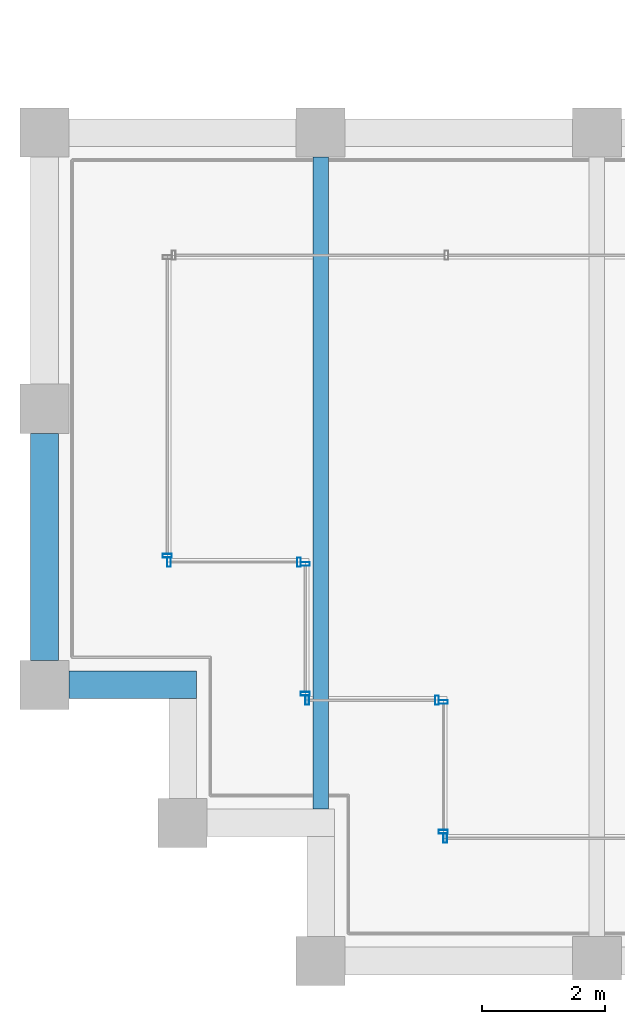
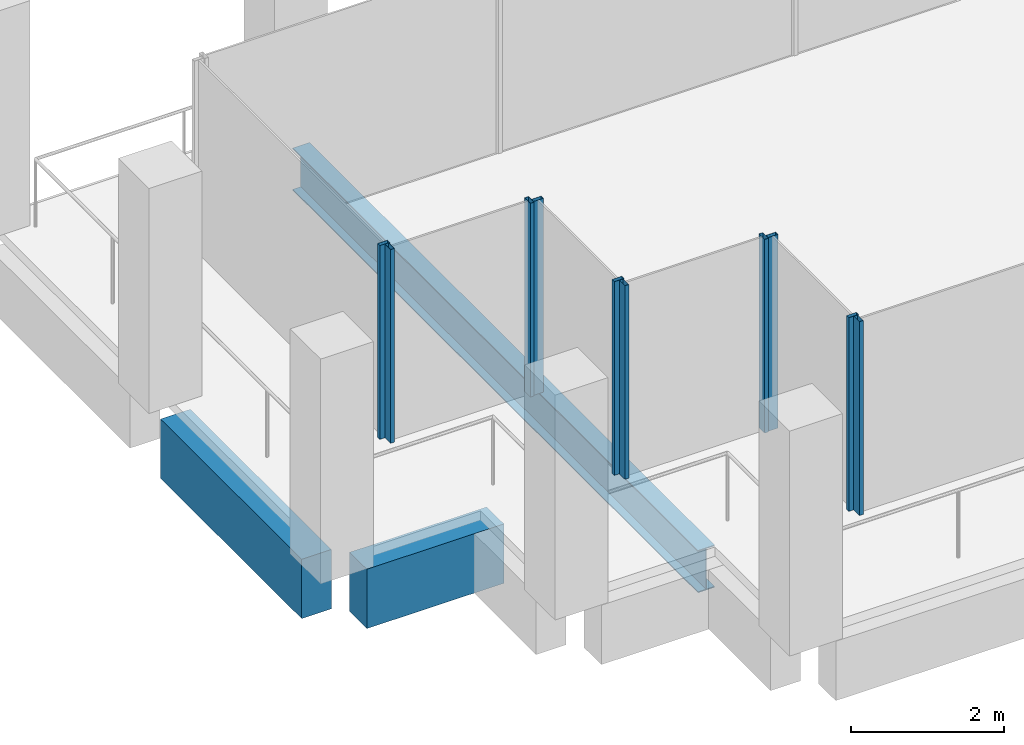
# One storey, part 2 of 30: 10 members, 3 beams, 6 elements without a shape of their own.
"""IFC4 building model written with IfcOpenShell, lengths in metres."""

from ifc_helpers import new_model, si_unit, direction, frame, origin, origin_2d, place, context, subcontext, project, spatial, rectangle, hollow_rectangle, i_section, extrude, material, material_profile, profile_set, type_object, element, aggregate, save


model = new_model("IFC4")

# Units and contexts
model_context = context("Model", 3, precision=1e-05, world=origin(), true_north=direction((0.0, 1.0)))
body_context = subcontext(model_context, "Body", "Model", "MODEL_VIEW")
ifc_project = project(units=[si_unit("LENGTHUNIT", "METRE"), si_unit("AREAUNIT", "SQUARE_METRE"), si_unit("VOLUMEUNIT", "CUBIC_METRE"), si_unit("PLANEANGLEUNIT", "RADIAN"), si_unit("MASSUNIT", "GRAM", prefix="KILO")], contexts=[model_context])

# Site, building, storey
site_placement = place(None, origin())
site = spatial("IfcSite", under=ifc_project, at=site_placement, CompositionType="ELEMENT")
building_placement = place(site_placement, origin())
building = spatial("IfcBuilding", under=site, at=building_placement, Name="Altepetl Exchange Towers", CompositionType="ELEMENT")
storey_placement = place(building_placement, frame((0.0, 0.0, 220.800048828125)))
storey = spatial("IfcBuildingStorey", under=building, at=storey_placement, Name="L56", CompositionType="ELEMENT", Elevation=220.800048828125)

# Beam
ifc_material_1 = material(Name="Steel S355", Category="steel")
ifc_material_profile_1 = material_profile(ifc_material_1, i_section(OverallWidth=0.2529296875, OverallDepth=0.677978515625, WebThickness=0.01171875, FlangeThickness=0.016357421875, at=origin_2d()), Name="W27X84")
ifc_profile_set_1 = profile_set([ifc_material_profile_1], Name="Steel S355")
beam_type_1 = type_object("IfcBeamType", Name="Floor beam W27X84", PredefinedType="BEAM", material=ifc_profile_set_1)
beam_1_placement = place(storey_placement, frame((31.5, 29.47509765625, -0.489013671875), z_axis=(0.0, 1.0, 0.0), x_axis=(-1.0, 0.0, 0.0)))
element("IfcBeam", 1, at=beam_1_placement, inside=storey, type_object=beam_type_1, Name="bm:A:L56:012", PredefinedType="BEAM", context=body_context, shape_type="SweptSolid", body=[
    extrude(i_section(OverallWidth=0.2529296875, OverallDepth=0.677978515625, WebThickness=0.01171875, FlangeThickness=0.016357421875, at=origin_2d()), origin(), (0.0, 0.0, 1.0), 10.625),
])

# Curtain wall, member
ifc_material_2 = material(Name="Aluminium 6063-T6 glazing", Category="aluminium")
curtain_wall_type = type_object("IfcCurtainWallType", Name="Loggia glazing system", PredefinedType="NOTDEFINED", material=ifc_material_2)
curtain_wall_1_placement = place(storey_placement, origin())
curtain_wall_1 = element("IfcCurtainWall", 2, at=curtain_wall_1_placement, inside=storey, type_object=curtain_wall_type, Name="CW1 run", PredefinedType="NOTDEFINED")
ifc_material_3 = material(Name="Aluminium 6063-T6", Category="aluminium")
ifc_material_profile_2 = material_profile(ifc_material_3, hollow_rectangle(XDim=0.06005859375, YDim=0.14990234375, WallThickness=0.0029296875, at=origin_2d()), Name="Mullion 60x150 aluminium")
ifc_profile_set_2 = profile_set([ifc_material_profile_2], Name="Aluminium 6063-T6")
member_type = type_object("IfcMemberType", Name="Mullion 60x150 aluminium", PredefinedType="MULLION", material=ifc_profile_set_2)
member_1_placement = place(storey_placement, frame((29.0, 33.60498046875, 0.0), z_axis=(0.0, 0.0, 1.0), x_axis=(0.0, -1.0, 0.0)))
member_1 = element("IfcMember", 3, at=member_1_placement, type_object=member_type, Name="MU1 mullion", PredefinedType="MULLION", context=body_context, shape_type="SweptSolid", body=[
    extrude(hollow_rectangle(XDim=0.06005859375, YDim=0.14990234375, WallThickness=0.0029296875, at=origin_2d()), origin(), (0.0, 0.0, 1.0), 3.099853515625),
])
aggregate(curtain_wall_1, [member_1])

# Curtain wall, members
curtain_wall_2_placement = place(storey_placement, origin())
curtain_wall_2 = element("IfcCurtainWall", 4, at=curtain_wall_2_placement, inside=storey, type_object=curtain_wall_type, Name="CW1 run", PredefinedType="NOTDEFINED")
member_2_placement = place(storey_placement, frame((29.030029296875, 33.5, 0.0)))
member_2 = element("IfcMember", 5, at=member_2_placement, type_object=member_type, Name="MU1 mullion", PredefinedType="MULLION", context=body_context, shape_type="SweptSolid", body=[
    extrude(hollow_rectangle(XDim=0.06005859375, YDim=0.14990234375, WallThickness=0.0029296875, at=origin_2d()), origin(), (0.0, 0.0, 1.0), 3.099853515625),
])
member_3_placement = place(storey_placement, frame((31.14501953125, 33.5, 0.0)))
member_3 = element("IfcMember", 6, at=member_3_placement, type_object=member_type, Name="MU1 mullion", PredefinedType="MULLION", context=body_context, shape_type="SweptSolid", body=[
    extrude(hollow_rectangle(XDim=0.06005859375, YDim=0.14990234375, WallThickness=0.0029296875, at=origin_2d()), origin(), (0.0, 0.0, 1.0), 3.099853515625),
])
aggregate(curtain_wall_2, [member_2, member_3])

curtain_wall_3_placement = place(storey_placement, origin())
curtain_wall_3 = element("IfcCurtainWall", 7, at=curtain_wall_3_placement, inside=storey, type_object=curtain_wall_type, Name="CW1 run", PredefinedType="NOTDEFINED")
member_4_placement = place(storey_placement, frame((31.25, 33.469970703125, 0.0), z_axis=(0.0, 0.0, 1.0), x_axis=(0.0, -1.0, 0.0)))
member_4 = element("IfcMember", 8, at=member_4_placement, type_object=member_type, Name="MU1 mullion", PredefinedType="MULLION", context=body_context, shape_type="SweptSolid", body=[
    extrude(hollow_rectangle(XDim=0.06005859375, YDim=0.14990234375, WallThickness=0.0029296875, at=origin_2d()), origin(), (0.0, 0.0, 1.0), 3.099853515625),
])
member_5_placement = place(storey_placement, frame((31.25, 31.35498046875, 0.0), z_axis=(0.0, 0.0, 1.0), x_axis=(0.0, -1.0, 0.0)))
member_5 = element("IfcMember", 9, at=member_5_placement, type_object=member_type, Name="MU1 mullion", PredefinedType="MULLION", context=body_context, shape_type="SweptSolid", body=[
    extrude(hollow_rectangle(XDim=0.06005859375, YDim=0.14990234375, WallThickness=0.0029296875, at=origin_2d()), origin(), (0.0, 0.0, 1.0), 3.099853515625),
])
aggregate(curtain_wall_3, [member_4, member_5])

curtain_wall_4_placement = place(storey_placement, origin())
curtain_wall_4 = element("IfcCurtainWall", 10, at=curtain_wall_4_placement, inside=storey, type_object=curtain_wall_type, Name="CW1 run", PredefinedType="NOTDEFINED")
member_6_placement = place(storey_placement, frame((31.280029296875, 31.25, 0.0)))
member_6 = element("IfcMember", 11, at=member_6_placement, type_object=member_type, Name="MU1 mullion", PredefinedType="MULLION", context=body_context, shape_type="SweptSolid", body=[
    extrude(hollow_rectangle(XDim=0.06005859375, YDim=0.14990234375, WallThickness=0.0029296875, at=origin_2d()), origin(), (0.0, 0.0, 1.0), 3.099853515625),
])
member_7_placement = place(storey_placement, frame((33.39501953125, 31.25, 0.0)))
member_7 = element("IfcMember", 12, at=member_7_placement, type_object=member_type, Name="MU1 mullion", PredefinedType="MULLION", context=body_context, shape_type="SweptSolid", body=[
    extrude(hollow_rectangle(XDim=0.06005859375, YDim=0.14990234375, WallThickness=0.0029296875, at=origin_2d()), origin(), (0.0, 0.0, 1.0), 3.099853515625),
])
aggregate(curtain_wall_4, [member_6, member_7])

curtain_wall_5_placement = place(storey_placement, origin())
curtain_wall_5 = element("IfcCurtainWall", 13, at=curtain_wall_5_placement, inside=storey, type_object=curtain_wall_type, Name="CW1 run", PredefinedType="NOTDEFINED")
member_8_placement = place(storey_placement, frame((33.5, 31.219970703125, 0.0), z_axis=(0.0, 0.0, 1.0), x_axis=(0.0, -1.0, 0.0)))
member_8 = element("IfcMember", 14, at=member_8_placement, type_object=member_type, Name="MU1 mullion", PredefinedType="MULLION", context=body_context, shape_type="SweptSolid", body=[
    extrude(hollow_rectangle(XDim=0.06005859375, YDim=0.14990234375, WallThickness=0.0029296875, at=origin_2d()), origin(), (0.0, 0.0, 1.0), 3.099853515625),
])
member_9_placement = place(storey_placement, frame((33.5, 29.10498046875, 0.0), z_axis=(0.0, 0.0, 1.0), x_axis=(0.0, -1.0, 0.0)))
member_9 = element("IfcMember", 15, at=member_9_placement, type_object=member_type, Name="MU1 mullion", PredefinedType="MULLION", context=body_context, shape_type="SweptSolid", body=[
    extrude(hollow_rectangle(XDim=0.06005859375, YDim=0.14990234375, WallThickness=0.0029296875, at=origin_2d()), origin(), (0.0, 0.0, 1.0), 3.099853515625),
])
aggregate(curtain_wall_5, [member_8, member_9])

# Curtain wall, member
curtain_wall_6_placement = place(storey_placement, origin())
curtain_wall_6 = element("IfcCurtainWall", 16, at=curtain_wall_6_placement, inside=storey, type_object=curtain_wall_type, Name="CW1 run", PredefinedType="NOTDEFINED")
member_10_placement = place(storey_placement, frame((33.530029296875, 29.0, 0.0)))
member_10 = element("IfcMember", 17, at=member_10_placement, type_object=member_type, Name="MU1 mullion", PredefinedType="MULLION", context=body_context, shape_type="SweptSolid", body=[
    extrude(hollow_rectangle(XDim=0.06005859375, YDim=0.14990234375, WallThickness=0.0029296875, at=origin_2d()), origin(), (0.0, 0.0, 1.0), 3.099853515625),
])
aggregate(curtain_wall_6, [member_10])

# Beams
ifc_material_4 = material(Name="Concrete C50/60 precast with cantera blanca facing", Category="concrete")
ifc_material_profile_3 = material_profile(ifc_material_4, rectangle(XDim=0.449951171875, YDim=0.949951171875, at=origin_2d()), Name="450 x 950")
ifc_profile_set_3 = profile_set([ifc_material_profile_3], Name="Concrete C50/60 precast with cantera blanca facing")
beam_type_2 = type_object("IfcBeamType", Name="Spandrel beam 450x950 cantera blanca", PredefinedType="SPANDREL", material=ifc_profile_set_3)
beam_2_placement = place(storey_placement, frame((27.0, 35.60009765625, -0.625), z_axis=(0.0, -1.0, 0.0), x_axis=(1.0, 0.0, 0.0)))
element("IfcBeam", 18, at=beam_2_placement, inside=storey, type_object=beam_type_2, Name="sp:A:L56:037", PredefinedType="SPANDREL", context=body_context, shape_type="SweptSolid", body=[
    extrude(rectangle(XDim=0.449951171875, YDim=0.949951171875, at=origin_2d()), origin(), (0.0, 0.0, 1.0), 3.7001953125),
])
beam_3_placement = place(storey_placement, frame((27.39990234375, 31.5, -0.625), z_axis=(1.0, 0.0, 0.0), x_axis=(0.0, 1.0, 0.0)))
element("IfcBeam", 19, at=beam_3_placement, inside=storey, type_object=beam_type_2, Name="sp:A:L56:038", PredefinedType="SPANDREL", context=body_context, shape_type="SweptSolid", body=[
    extrude(rectangle(XDim=0.449951171875, YDim=0.949951171875, at=origin_2d()), origin(), (0.0, 0.0, 1.0), 2.0751953125),
])

save(model, "model.ifc")
